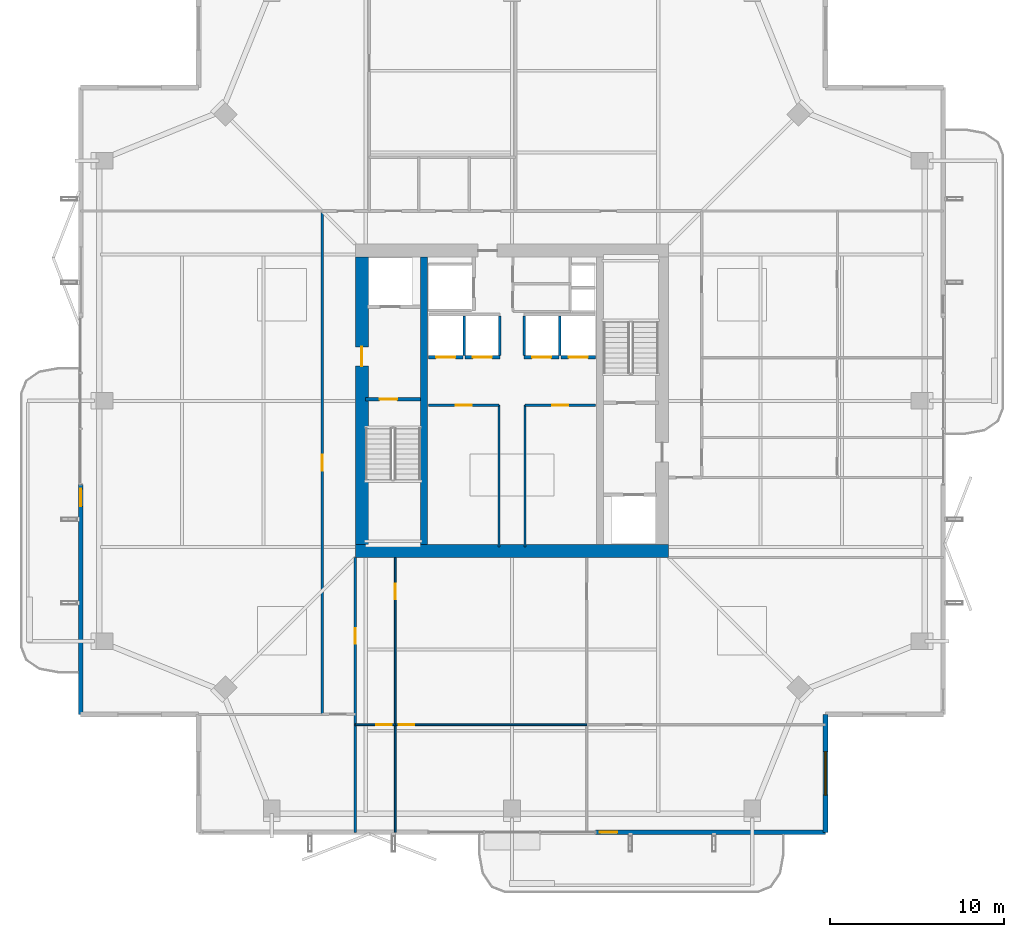
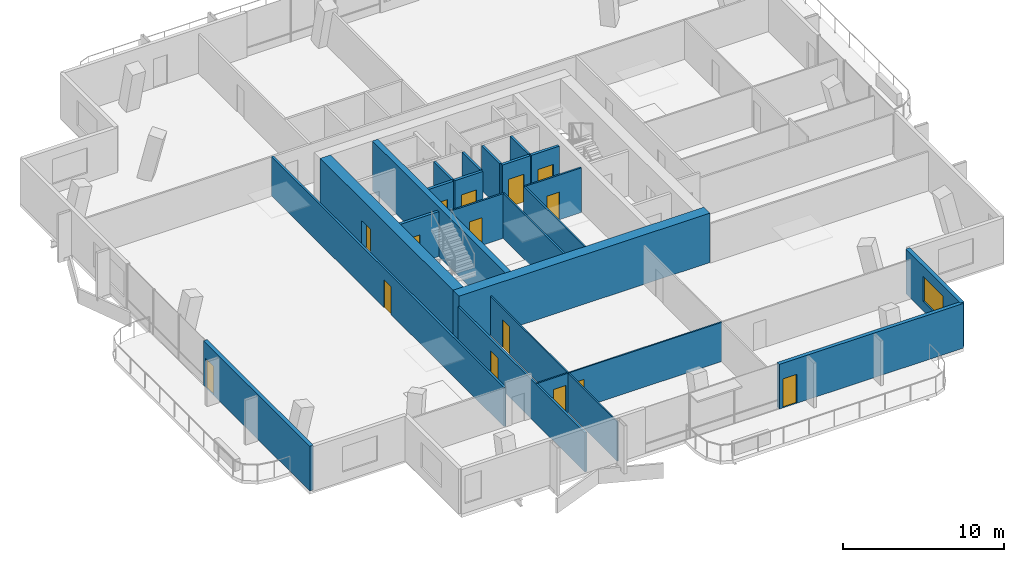
# One storey, part 18 of 25: 24 walls, 15 doors, 1 window, 16 openings.
"""IFC4 building model written with IfcOpenShell, lengths in metres."""

from ifc_helpers import new_model, si_unit, direction, frame, frame_2d, origin, place, context, subcontext, project, spatial, rectangle, extrude, material, layer, layer_set, type_object, element, fill, save


model = new_model("IFC4")

# Units and contexts
model_context = context("Model", 3, precision=1e-05, world=origin(), true_north=direction((0.0, 1.0)))
body_context = subcontext(model_context, "Body", "Model", "MODEL_VIEW")
ifc_project = project(units=[si_unit("LENGTHUNIT", "METRE"), si_unit("AREAUNIT", "SQUARE_METRE"), si_unit("VOLUMEUNIT", "CUBIC_METRE"), si_unit("PLANEANGLEUNIT", "RADIAN"), si_unit("MASSUNIT", "GRAM", prefix="KILO")], contexts=[model_context])

# Site, building, storey
site_placement = place(None, origin())
site = spatial("IfcSite", under=ifc_project, at=site_placement, CompositionType="ELEMENT")
building_placement = place(site_placement, origin())
building = spatial("IfcBuilding", under=site, at=building_placement, Name="Belovzor Exchange Tower", CompositionType="ELEMENT")
storey_placement = place(building_placement, frame((0.0, 0.0, 280.35009765625)))
storey = spatial("IfcBuildingStorey", under=building, at=storey_placement, Name="L70", CompositionType="ELEMENT", Elevation=280.35009765625)

# Wall, opening, door
ifc_material_1 = material(Name="Acoustic Laminated Glass and Aluminium", Category="aluminium")
ifc_layer_1 = layer(ifc_material_1, 0.10009765625)
ifc_layer_set_1 = layer_set([ifc_layer_1], Name="Acoustic Laminated Glass and Aluminium")
wall_type_1 = type_object("IfcWallType", Name="Demountable Executive Glass Partition 100", PredefinedType="MOVABLE", material=ifc_layer_set_1)
wall_1_placement = place(storey_placement, frame((19.800048828125, 10.200927734375, 0.0), z_axis=(0.0, 0.0, 1.0), x_axis=(1.0, 0.0, 0.0)))
wall_1 = element("IfcWall", 1, at=wall_1_placement, inside=storey, type_object=wall_type_1, Name="W-M100 Partition Wall W-L70-SHDIV-0", PredefinedType="MOVABLE", context=body_context, shape_type="SweptSolid", body=[
    extrude(rectangle(XDim=2.300048828125, YDim=0.10009765625, at=frame_2d((1.14990234375, 0.0))), origin(), (0.0, 0.0, 1.0), 2.974853515625),
])
opening_1_placement = place(wall_1_placement, frame((1.199951171875, 0.0, 0.0)))
opening_1 = element("IfcOpeningElement", 2, at=opening_1_placement, cuts=wall_1, Name="Opening D-INT-090", PredefinedType="OPENING", context=body_context, shape_type="SweptSolid", body=[
    extrude(rectangle(XDim=0.89990234375, YDim=2.10009765625, at=frame_2d((0.449951171875, 1.050048828125))), frame((0.0, 0.06005859375, 0.0), z_axis=(0.0, -1.0, 0.0), x_axis=(1.0, 0.0, 0.0)), (0.0, 0.0, 1.0), 0.1201171875),
])
ifc_material_2 = material(Name="Veneered Hardwood Acoustic Leaf", Category="wood")
door_type_1 = type_object("IfcDoorType", Name="Trading Suite Acoustic Single Door 900x2100", OperationType="NOTDEFINED", PredefinedType="DOOR", material=ifc_material_2)
door_1_placement = place(opening_1_placement, origin())
door_1 = element("IfcDoor", 3, at=door_1_placement, inside=storey, type_object=door_type_1, Name="D-INT-090 Trading Suite Acoustic Single Door 900x2100", OperationType="SINGLE_SWING_LEFT", OverallHeight=2.10009765625, OverallWidth=0.89990234375, PredefinedType="DOOR", context=body_context, shape_type="SweptSolid", body=[
    extrude(rectangle(XDim=0.89990234375, YDim=2.10009765625, at=frame_2d((0.449951171875, 1.050048828125))), frame((0.0, 0.02490234375, 0.0), z_axis=(0.0, -1.0, 0.0), x_axis=(1.0, 0.0, 0.0)), (0.0, 0.0, 1.0), 0.050048828125),
])
fill(opening_1, door_1)

wall_2_placement = place(storey_placement, frame((22.10009765625, 4.030029296875, 0.0), z_axis=(0.0, 0.0, 1.0), x_axis=(0.0, 1.0, 0.0)))
wall_2 = element("IfcWall", 4, at=wall_2_placement, inside=storey, type_object=wall_type_1, Name="W-M100 Partition Wall W-L70-SDIV-1", PredefinedType="MOVABLE", context=body_context, shape_type="SweptSolid", body=[
    extrude(rectangle(XDim=15.77001953125, YDim=0.10009765625, at=frame_2d((7.885009765625, 0.0))), origin(), (0.0, 0.0, 1.0), 2.974853515625),
])
opening_2_placement = place(wall_2_placement, frame((13.3701171875, 0.0, 0.0)))
opening_2 = element("IfcOpeningElement", 5, at=opening_2_placement, cuts=wall_2, Name="Opening D-INT-090", PredefinedType="OPENING", context=body_context, shape_type="SweptSolid", body=[
    extrude(rectangle(XDim=0.89990234375, YDim=2.10009765625, at=frame_2d((0.449951171875, 1.050048828125))), frame((0.0, 0.06005859375, 0.0), z_axis=(0.0, -1.0, 0.0), x_axis=(1.0, 0.0, 0.0)), (0.0, 0.0, 1.0), 0.1201171875),
])
door_2_placement = place(opening_2_placement, origin())
door_2 = element("IfcDoor", 6, at=door_2_placement, inside=storey, type_object=door_type_1, Name="D-INT-090 Trading Suite Acoustic Single Door 900x2100", OperationType="SINGLE_SWING_LEFT", OverallHeight=2.10009765625, OverallWidth=0.89990234375, PredefinedType="DOOR", context=body_context, shape_type="SweptSolid", body=[
    extrude(rectangle(XDim=0.89990234375, YDim=2.10009765625, at=frame_2d((0.449951171875, 1.050048828125))), frame((0.0, 0.02490234375, 0.0), z_axis=(0.0, -1.0, 0.0), x_axis=(1.0, 0.0, 0.0)), (0.0, 0.0, 1.0), 0.050048828125),
])
fill(opening_2, door_2)

wall_3_placement = place(storey_placement, frame((22.10009765625, 10.200927734375, 0.0), z_axis=(0.0, 0.0, 1.0), x_axis=(1.0, 0.0, 0.0)))
wall_3 = element("IfcWall", 7, at=wall_3_placement, inside=storey, type_object=wall_type_1, Name="W-M100 Partition Wall W-L70-SHDIV-1", PredefinedType="MOVABLE", context=body_context, shape_type="SweptSolid", body=[
    extrude(rectangle(XDim=10.991943359375, YDim=0.10009765625, at=frame_2d((5.49609375, 0.0))), origin(), (0.0, 0.0, 1.0), 2.974853515625),
])
opening_3_placement = place(wall_3_placement, frame((0.199951171875, 0.0, 0.0)))
opening_3 = element("IfcOpeningElement", 8, at=opening_3_placement, cuts=wall_3, Name="Opening D-INT-090", PredefinedType="OPENING", context=body_context, shape_type="SweptSolid", body=[
    extrude(rectangle(XDim=0.89990234375, YDim=2.10009765625, at=frame_2d((0.449951171875, 1.050048828125))), frame((0.0, 0.06005859375, 0.0), z_axis=(0.0, -1.0, 0.0), x_axis=(1.0, 0.0, 0.0)), (0.0, 0.0, 1.0), 0.1201171875),
])
door_3_placement = place(opening_3_placement, origin())
door_3 = element("IfcDoor", 9, at=door_3_placement, inside=storey, type_object=door_type_1, Name="D-INT-090 Trading Suite Acoustic Single Door 900x2100", OperationType="SINGLE_SWING_LEFT", OverallHeight=2.10009765625, OverallWidth=0.89990234375, PredefinedType="DOOR", context=body_context, shape_type="SweptSolid", body=[
    extrude(rectangle(XDim=0.89990234375, YDim=2.10009765625, at=frame_2d((0.449951171875, 1.050048828125))), frame((0.0, 0.02490234375, 0.0), z_axis=(0.0, -1.0, 0.0), x_axis=(1.0, 0.0, 0.0)), (0.0, 0.0, 1.0), 0.050048828125),
])
fill(opening_3, door_3)

ifc_material_3 = material(Name="Fire-Rated Plasterboard on Galvanised Studs", Category="gypsum")
ifc_layer_2 = layer(ifc_material_3, 0.1201171875)
ifc_layer_set_2 = layer_set([ifc_layer_2], Name="Fire-Rated Plasterboard on Galvanised Studs")
wall_type_2 = type_object("IfcWallType", Name="Fire-Rated Double-Stud Partition Wall 120", PredefinedType="PARTITIONING", material=ifc_layer_set_2)
wall_4_placement = place(storey_placement, frame((24.0, 28.550048828125, 0.0), z_axis=(0.0, 0.0, 1.0), x_axis=(1.0, 0.0, 0.0)))
wall_4 = element("IfcWall", 10, at=wall_4_placement, inside=storey, type_object=wall_type_2, Name="W-P120F Partition Wall W-CRWB-L70-N", PredefinedType="PARTITIONING", context=body_context, shape_type="SweptSolid", body=[
    extrude(rectangle(XDim=4.050048828125, YDim=0.1201171875, at=frame_2d((2.02490234375, 0.0))), origin(), (0.0, 0.0, 1.0), 3.389892578125),
])
opening_4_placement = place(wall_4_placement, frame((1.574951171875, 0.0, 0.0)))
opening_4 = element("IfcOpeningElement", 11, at=opening_4_placement, cuts=wall_4, Name="Opening D-FD60-090", PredefinedType="OPENING", context=body_context, shape_type="SweptSolid", body=[
    extrude(rectangle(XDim=0.89990234375, YDim=2.10009765625, at=frame_2d((0.449951171875, 1.050048828125))), frame((0.0, 0.070068359375, 0.0), z_axis=(0.0, -1.0, 0.0), x_axis=(1.0, 0.0, 0.0)), (0.0, 0.0, 1.0), 0.14013671875),
])
ifc_material_4 = material(Name="Acoustic Timber Fire Leaf", Category="wood")
door_type_2 = type_object("IfcDoorType", Name="Core Service & Restroom Fire Door 900x2100", OperationType="NOTDEFINED", PredefinedType="DOOR", material=ifc_material_4)
door_4_placement = place(opening_4_placement, origin())
door_4 = element("IfcDoor", 12, at=door_4_placement, inside=storey, type_object=door_type_2, Name="D-FD60-090 Core Service & Restroom Fire Door 900x2100", OperationType="SINGLE_SWING_LEFT", OverallHeight=2.10009765625, OverallWidth=0.89990234375, PredefinedType="DOOR", context=body_context, shape_type="SweptSolid", body=[
    extrude(rectangle(XDim=0.89990234375, YDim=2.10009765625, at=frame_2d((0.449951171875, 1.050048828125))), frame((0.0, 0.02490234375, 0.0), z_axis=(0.0, -1.0, 0.0), x_axis=(1.0, 0.0, 0.0)), (0.0, 0.0, 1.0), 0.050048828125),
])
fill(opening_4, door_4)

# Wall
wall_5_placement = place(storey_placement, frame((28.050048828125, 20.39990234375, 0.0), z_axis=(0.0, 0.0, 1.0), x_axis=(0.0, 1.0, 0.0)))
element("IfcWall", 13, at=wall_5_placement, inside=storey, type_object=wall_type_2, Name="W-P120F Partition Wall W-CRWB-L70-E", PredefinedType="PARTITIONING", context=body_context, shape_type="SweptSolid", body=[
    extrude(rectangle(XDim=8.150146484375, YDim=0.1201171875, at=frame_2d((4.0751953125, 0.0))), origin(), (0.0, 0.0, 1.0), 3.389892578125),
])

# Wall, opening, door
wall_6_placement = place(storey_placement, frame((29.550048828125, 28.550048828125, 0.0), z_axis=(0.0, 0.0, 1.0), x_axis=(1.0, 0.0, 0.0)))
wall_6 = element("IfcWall", 14, at=wall_6_placement, inside=storey, type_object=wall_type_2, Name="W-P120F Partition Wall W-CREB-L70-N", PredefinedType="PARTITIONING", context=body_context, shape_type="SweptSolid", body=[
    extrude(rectangle(XDim=4.050048828125, YDim=0.1201171875, at=frame_2d((2.02490234375, 0.0))), origin(), (0.0, 0.0, 1.0), 3.389892578125),
])
opening_5_placement = place(wall_6_placement, frame((1.574951171875, 0.0, 0.0)))
opening_5 = element("IfcOpeningElement", 15, at=opening_5_placement, cuts=wall_6, Name="Opening D-FD60-090", PredefinedType="OPENING", context=body_context, shape_type="SweptSolid", body=[
    extrude(rectangle(XDim=0.89990234375, YDim=2.10009765625, at=frame_2d((0.449951171875, 1.050048828125))), frame((0.0, 0.070068359375, 0.0), z_axis=(0.0, -1.0, 0.0), x_axis=(1.0, 0.0, 0.0)), (0.0, 0.0, 1.0), 0.14013671875),
])
door_5_placement = place(opening_5_placement, origin())
door_5 = element("IfcDoor", 16, at=door_5_placement, inside=storey, type_object=door_type_2, Name="D-FD60-090 Core Service & Restroom Fire Door 900x2100", OperationType="SINGLE_SWING_RIGHT", OverallHeight=2.10009765625, OverallWidth=0.89990234375, PredefinedType="DOOR", context=body_context, shape_type="SweptSolid", body=[
    extrude(rectangle(XDim=0.89990234375, YDim=2.10009765625, at=frame_2d((0.449951171875, 1.050048828125))), frame((0.0, 0.02490234375, 0.0), z_axis=(0.0, -1.0, 0.0), x_axis=(1.0, 0.0, 0.0)), (0.0, 0.0, 1.0), 0.050048828125),
])
fill(opening_5, door_5)

# Wall
wall_7_placement = place(storey_placement, frame((29.550048828125, 20.39990234375, 0.0), z_axis=(0.0, 0.0, 1.0), x_axis=(0.0, 1.0, 0.0)))
element("IfcWall", 17, at=wall_7_placement, inside=storey, type_object=wall_type_2, Name="W-P120F Partition Wall W-CREB-L70-W", PredefinedType="PARTITIONING", context=body_context, shape_type="SweptSolid", body=[
    extrude(rectangle(XDim=8.150146484375, YDim=0.1201171875, at=frame_2d((4.0751953125, 0.0))), origin(), (0.0, 0.0, 1.0), 3.389892578125),
])

# Wall, opening, door
ifc_material_5 = material(Name="Fire-Rated Gypsum Block and Mineral Wool", Category="gypsum")
ifc_layer_3 = layer(ifc_material_5, 0.14990234375)
ifc_layer_set_3 = layer_set([ifc_layer_3], Name="Fire-Rated Gypsum Block and Mineral Wool")
wall_type_3 = type_object("IfcWallType", Name="Fire-Rated Gypsum Block Corridor Wall 150", PredefinedType="PARTITIONING", material=ifc_layer_set_3)
wall_8_placement = place(storey_placement, frame((19.800048828125, 4.030029296875, 0.0), z_axis=(0.0, 0.0, 1.0), x_axis=(0.0, 1.0, 0.0)))
wall_8 = element("IfcWall", 18, at=wall_8_placement, inside=storey, type_object=wall_type_3, Name="W-P150 Partition Wall W-L70-CW-E", PredefinedType="PARTITIONING", context=body_context, shape_type="SweptSolid", body=[
    extrude(rectangle(XDim=15.77001953125, YDim=0.14990234375, at=frame_2d((7.885009765625, 0.0))), origin(), (0.0, 0.0, 1.0), 2.974853515625),
])
opening_6_placement = place(wall_8_placement, frame((10.820068359375, 0.0, 0.0)))
opening_6 = element("IfcOpeningElement", 19, at=opening_6_placement, cuts=wall_8, Name="Opening D-FD60-090", PredefinedType="OPENING", context=body_context, shape_type="SweptSolid", body=[
    extrude(rectangle(XDim=0.89990234375, YDim=2.10009765625, at=frame_2d((0.449951171875, 1.050048828125))), frame((0.0, 0.0849609375, 0.0), z_axis=(0.0, -1.0, 0.0), x_axis=(1.0, 0.0, 0.0)), (0.0, 0.0, 1.0), 0.169921875),
])
door_6_placement = place(opening_6_placement, origin())
door_6 = element("IfcDoor", 20, at=door_6_placement, inside=storey, type_object=door_type_2, Name="D-FD60-090 Core Service & Restroom Fire Door 900x2100", OperationType="SINGLE_SWING_RIGHT", OverallHeight=2.10009765625, OverallWidth=0.89990234375, PredefinedType="DOOR", context=body_context, shape_type="SweptSolid", body=[
    extrude(rectangle(XDim=0.89990234375, YDim=2.10009765625, at=frame_2d((0.449951171875, 1.050048828125))), frame((0.0, 0.02490234375, 0.0), z_axis=(0.0, -1.0, 0.0), x_axis=(1.0, 0.0, 0.0)), (0.0, 0.0, 1.0), 0.050048828125),
])
fill(opening_6, door_6)

wall_9_placement = place(storey_placement, frame((17.89990234375, 10.800048828125, 0.0), z_axis=(0.0, 0.0, 1.0), x_axis=(0.0, 1.0, 0.0)))
wall_9 = element("IfcWall", 21, at=wall_9_placement, inside=storey, type_object=wall_type_3, Name="W-P150 Partition Wall W-L70-CW", PredefinedType="PARTITIONING", context=body_context, shape_type="SweptSolid", body=[
    extrude(rectangle(XDim=28.89990234375, YDim=0.14990234375, at=frame_2d((14.449951171875, 0.0))), origin(), (0.0, 0.0, 1.0), 2.974853515625),
])
opening_7_placement = place(wall_9_placement, frame((14.0, 0.0, 0.0)))
opening_7 = element("IfcOpeningElement", 22, at=opening_7_placement, cuts=wall_9, Name="Opening D-INT-090", PredefinedType="OPENING", context=body_context, shape_type="SweptSolid", body=[
    extrude(rectangle(XDim=0.89990234375, YDim=2.10009765625, at=frame_2d((0.449951171875, 1.050048828125))), frame((0.0, 0.0849609375, 0.0), z_axis=(0.0, -1.0, 0.0), x_axis=(1.0, 0.0, 0.0)), (0.0, 0.0, 1.0), 0.169921875),
])
door_7_placement = place(opening_7_placement, origin())
door_7 = element("IfcDoor", 23, at=door_7_placement, inside=storey, type_object=door_type_1, Name="D-INT-090 Trading Suite Acoustic Single Door 900x2100", OperationType="SINGLE_SWING_LEFT", OverallHeight=2.10009765625, OverallWidth=0.89990234375, PredefinedType="DOOR", context=body_context, shape_type="SweptSolid", body=[
    extrude(rectangle(XDim=0.89990234375, YDim=2.10009765625, at=frame_2d((0.449951171875, 1.050048828125))), frame((0.0, 0.02490234375, 0.0), z_axis=(0.0, -1.0, 0.0), x_axis=(1.0, 0.0, 0.0)), (0.0, 0.0, 1.0), 0.050048828125),
])
fill(opening_7, door_7)

# Wall, opening, window
ifc_material_6 = material(Name="Precast concrete C40/50", Category="concrete")
ifc_layer_4 = layer(ifc_material_6, 0.280029296875)
ifc_layer_set_4 = layer_set([ifc_layer_4], Name="Precast concrete C40/50")
wall_type_4 = type_object("IfcWallType", Name="Precast Concrete Notched Corner Frame Wall 280", PredefinedType="SOLIDWALL", material=ifc_layer_set_4)
wall_10_placement = place(storey_placement, frame((46.800048828125, 10.800048828125, 0.0), z_axis=(0.0, 0.0, 1.0), x_axis=(0.0, -1.0, 0.0)))
wall_10 = element("IfcWall", 24, at=wall_10_placement, inside=storey, type_object=wall_type_4, Name="W-CRN280 Precast Concrete Notched Corner Frame Wall 280 L70", PredefinedType="SOLIDWALL", context=body_context, shape_type="SweptSolid", body=[
    extrude(rectangle(XDim=6.77001953125, YDim=0.280029296875, at=frame_2d((3.385009765625, 0.0))), origin(), (0.0, 0.0, 1.0), 3.389892578125),
])
opening_8_placement = place(wall_10_placement, frame((2.135009765625, 0.0, 0.719970703125)))
opening_8 = element("IfcOpeningElement", 25, at=opening_8_placement, cuts=wall_10, Name="Opening WN-CRN250", PredefinedType="OPENING", context=body_context, shape_type="SweptSolid", body=[
    extrude(rectangle(XDim=2.5, YDim=1.89990234375, at=frame_2d((1.25, 0.949951171875))), frame((0.0, 0.14990234375, 0.0), z_axis=(0.0, -1.0, 0.0), x_axis=(1.0, 0.0, 0.0)), (0.0, 0.0, 1.0), 0.300048828125),
])
ifc_material_7 = material(Name="Thermally Broken Aluminium and Triple Glazing", Category="aluminium")
window_type = type_object("IfcWindowType", Name="Streamline Moderne Corner Wrap Ribbon Window 2500x1900", PartitioningType="SINGLE_PANEL", PredefinedType="WINDOW", material=ifc_material_7)
window_placement = place(opening_8_placement, origin())
window = element("IfcWindow", 26, at=window_placement, inside=storey, type_object=window_type, Name="WN-CRN250 Streamline Moderne Corner Wrap Ribbon Window 2500x1900", OverallHeight=1.89990234375, OverallWidth=2.5, PartitioningType="SINGLE_PANEL", PredefinedType="WINDOW", context=body_context, shape_type="SweptSolid", body=[
    extrude(rectangle(XDim=2.5, YDim=1.89990234375, at=frame_2d((1.25, 0.949951171875))), frame((0.0, 0.030029296875, 0.0), z_axis=(0.0, -1.0, 0.0), x_axis=(1.0, 0.0, 0.0)), (0.0, 0.0, 1.0), 0.06005859375),
])
fill(opening_8, window)

# Wall, opening, door
ifc_material_8 = material(Name="Precast concrete C40/50", Category="concrete")
ifc_layer_5 = layer(ifc_material_8, 0.260009765625)
ifc_layer_set_5 = layer_set([ifc_layer_5], Name="Precast concrete C40/50")
wall_type_5 = type_object("IfcWallType", Name="Precast Concrete Perimeter Loggia Frame Wall 260", PredefinedType="SOLIDWALL", material=ifc_layer_set_5)
wall_11_placement = place(storey_placement, frame((46.800048828125, 4.030029296875, 0.0), z_axis=(0.0, 0.0, 1.0), x_axis=(-1.0, 0.0, 0.0)))
wall_11 = element("IfcWall", 27, at=wall_11_placement, inside=storey, type_object=wall_type_5, Name="W-EXT260 Precast Concrete Perimeter Loggia Frame Wall 260 L70", PredefinedType="SOLIDWALL", context=body_context, shape_type="SweptSolid", body=[
    extrude(rectangle(XDim=13.199951171875, YDim=0.260009765625, at=frame_2d((6.60009765625, 0.0))), origin(), (0.0, 0.0, 1.0), 3.389892578125),
])
opening_9_placement = place(wall_11_placement, frame((11.949951171875, 0.0, 0.0)))
opening_9 = element("IfcOpeningElement", 28, at=opening_9_placement, cuts=wall_11, Name="Opening D-BAL100", PredefinedType="OPENING", context=body_context, shape_type="SweptSolid", body=[
    extrude(rectangle(XDim=1.0, YDim=2.199951171875, at=frame_2d((0.5, 1.10009765625))), frame((0.0, 0.139892578125, 0.0), z_axis=(0.0, -1.0, 0.0), x_axis=(1.0, 0.0, 0.0)), (0.0, 0.0, 1.0), 0.280029296875),
])
ifc_material_9 = material(Name="Thermally Broken Anodised Aluminium and Laminated Glass", Category="aluminium")
door_type_3 = type_object("IfcDoorType", Name="Planted Loggia Terrace Glazed Door 1000x2200", OperationType="SINGLE_SWING_LEFT", PredefinedType="DOOR", material=ifc_material_9)
door_8_placement = place(opening_9_placement, origin())
door_8 = element("IfcDoor", 29, at=door_8_placement, inside=storey, type_object=door_type_3, Name="D-BAL100 Balcony Terrace Door L70 S", OperationType="SINGLE_SWING_LEFT", OverallHeight=2.199951171875, OverallWidth=1.0, PredefinedType="DOOR", context=body_context, shape_type="SweptSolid", body=[
    extrude(rectangle(XDim=1.0, YDim=2.199951171875, at=frame_2d((0.5, 1.10009765625))), frame((0.0, 0.02490234375, 0.0), z_axis=(0.0, -1.0, 0.0), x_axis=(1.0, 0.0, 0.0)), (0.0, 0.0, 1.0), 0.050048828125),
])
fill(opening_9, door_8)

wall_12_placement = place(storey_placement, frame((4.030029296875, 10.800048828125, 0.0), z_axis=(0.0, 0.0, 1.0), x_axis=(0.0, 1.0, 0.0)))
wall_12 = element("IfcWall", 30, at=wall_12_placement, inside=storey, type_object=wall_type_5, Name="W-EXT260 Precast Concrete Perimeter Loggia Frame Wall 260 L70", PredefinedType="SOLIDWALL", context=body_context, shape_type="SweptSolid", body=[
    extrude(rectangle(XDim=13.199951171875, YDim=0.260009765625, at=frame_2d((6.60009765625, 0.0))), origin(), (0.0, 0.0, 1.0), 3.389892578125),
])
opening_10_placement = place(wall_12_placement, frame((11.949951171875, 0.0, 0.0)))
opening_10 = element("IfcOpeningElement", 31, at=opening_10_placement, cuts=wall_12, Name="Opening D-BAL100", PredefinedType="OPENING", context=body_context, shape_type="SweptSolid", body=[
    extrude(rectangle(XDim=1.0, YDim=2.199951171875, at=frame_2d((0.5, 1.10009765625))), frame((0.0, 0.139892578125, 0.0), z_axis=(0.0, -1.0, 0.0), x_axis=(1.0, 0.0, 0.0)), (0.0, 0.0, 1.0), 0.280029296875),
])
door_9_placement = place(opening_10_placement, origin())
door_9 = element("IfcDoor", 32, at=door_9_placement, inside=storey, type_object=door_type_3, Name="D-BAL100 Balcony Terrace Door L70 W", OperationType="SINGLE_SWING_RIGHT", OverallHeight=2.199951171875, OverallWidth=1.0, PredefinedType="DOOR", context=body_context, shape_type="SweptSolid", body=[
    extrude(rectangle(XDim=1.0, YDim=2.199951171875, at=frame_2d((0.5, 1.10009765625))), frame((0.0, 0.02490234375, 0.0), z_axis=(0.0, -1.0, 0.0), x_axis=(1.0, 0.0, 0.0)), (0.0, 0.0, 1.0), 0.050048828125),
])
fill(opening_10, door_9)

# Walls
ifc_material_10 = material(Name="Concrete C50/60", Category="concrete")
ifc_layer_6 = layer(ifc_material_10, 0.39990234375)
ifc_layer_set_6 = layer_set([ifc_layer_6], Name="Concrete C50/60")
wall_type_6 = type_object("IfcWallType", Name="Reinforced Concrete Core Internal Web Wall 400", PredefinedType="SHEAR", material=ifc_layer_set_6)
wall_13_placement = place(storey_placement, frame((23.75, 20.550048828125, 0.0), z_axis=(0.0, 0.0, 1.0), x_axis=(0.0, 1.0, 0.0)))
element("IfcWall", 33, at=wall_13_placement, inside=storey, type_object=wall_type_6, Name="CW-W040 Core Internal Web Wall L70 WL", PredefinedType="SHEAR", context=body_context, shape_type="SweptSolid", body=[
    extrude(rectangle(XDim=16.5, YDim=0.39990234375, at=frame_2d((8.25, 0.0))), origin(), (0.0, 0.0, 1.0), 3.75),
])
ifc_material_11 = material(Name="Concrete C50/60", Category="concrete")
ifc_layer_7 = layer(ifc_material_11, 0.14990234375)
ifc_layer_set_7 = layer_set([ifc_layer_7], Name="Concrete C50/60")
wall_type_7 = type_object("IfcWallType", Name="Reinforced Concrete Core Riser Shear Wall 150", PredefinedType="SHEAR", material=ifc_layer_set_7)
for number, where, z_axis, x_axis, name in (
    (34, (26.050048828125, 31.419921875, 0.0), (0.0, 0.0, 1.0), (0.0, 1.0, 0.0), "W-C150S Core Shaft Wall W-SHD-L70-PLH-1"),
    (35, (28.10009765625, 31.419921875, 0.0), (0.0, 0.0, 1.0), (0.0, 1.0, 0.0), "W-C150S Core Shaft Wall W-SHD-L70-PLH-2"),
    (36, (29.5, 31.419921875, 0.0), (0.0, 0.0, 1.0), (0.0, 1.0, 0.0), "W-C150S Core Shaft Wall W-SHD-L70-PLH-3"),
    (37, (31.550048828125, 31.419921875, 0.0), (0.0, 0.0, 1.0), (0.0, 1.0, 0.0), "W-C150S Core Shaft Wall W-SHD-L70-PLH-4"),
):
    element("IfcWall", number, at=place(storey_placement, frame(where, z_axis=z_axis, x_axis=x_axis)), inside=storey, type_object=wall_type_7, Name=name, PredefinedType="SHEAR", context=body_context, shape_type="SweptSolid", body=[
        extrude(rectangle(XDim=2.239990234375, YDim=0.14990234375, at=frame_2d((1.1201171875, 0.0))), origin(), (0.0, 0.0, 1.0), 3.389892578125),
    ])

# Wall, opening, door
ifc_material_12 = material(Name="Concrete C50/60", Category="concrete")
ifc_layer_8 = layer(ifc_material_12, 0.199951171875)
ifc_layer_set_8 = layer_set([ifc_layer_8], Name="Concrete C50/60")
wall_type_8 = type_object("IfcWallType", Name="Reinforced Concrete Core Shaft Shear Wall 200", PredefinedType="SHEAR", material=ifc_layer_set_8)
wall_14_placement = place(storey_placement, frame((20.39990234375, 28.89990234375, 0.0), z_axis=(0.0, 0.0, 1.0), x_axis=(1.0, 0.0, 0.0)))
wall_14 = element("IfcWall", 38, at=wall_14_placement, inside=storey, type_object=wall_type_8, Name="W-C200S Core Shaft Wall W-CORE-L70-FFLW1", PredefinedType="SHEAR", context=body_context, shape_type="SweptSolid", body=[
    extrude(rectangle(XDim=3.150146484375, YDim=0.199951171875, at=frame_2d((1.5751953125, 0.0))), origin(), (0.0, 0.0, 1.0), 3.389892578125),
])
opening_11_placement = place(wall_14_placement, frame((0.800048828125, 0.0, 0.0)))
opening_11 = element("IfcOpeningElement", 39, at=opening_11_placement, cuts=wall_14, Name="Opening D-FD90-100", PredefinedType="OPENING", context=body_context, shape_type="SweptSolid", body=[
    extrude(rectangle(XDim=1.0, YDim=2.10009765625, at=frame_2d((0.5, 1.050048828125))), frame((0.0, 0.10986328125, 0.0), z_axis=(0.0, -1.0, 0.0), x_axis=(1.0, 0.0, 0.0)), (0.0, 0.0, 1.0), 0.219970703125),
])
ifc_material_13 = material(Name="Fire-Rated Galvanised Steel Leaf", Category="steel")
door_type_4 = type_object("IfcDoorType", Name="Protected Stairwell Single Fire Door 1000x2100", OperationType="NOTDEFINED", PredefinedType="DOOR", material=ifc_material_13)
door_10_placement = place(opening_11_placement, origin())
door_10 = element("IfcDoor", 40, at=door_10_placement, inside=storey, type_object=door_type_4, Name="D-FD90-100 Protected Stairwell Single Fire Door 1000x2100", OperationType="SINGLE_SWING_RIGHT", OverallHeight=2.10009765625, OverallWidth=1.0, PredefinedType="DOOR", context=body_context, shape_type="SweptSolid", body=[
    extrude(rectangle(XDim=1.0, YDim=2.10009765625, at=frame_2d((0.5, 1.050048828125))), frame((0.0, 0.02490234375, 0.0), z_axis=(0.0, -1.0, 0.0), x_axis=(1.0, 0.0, 0.0)), (0.0, 0.0, 1.0), 0.050048828125),
])
fill(opening_11, door_10)

wall_15_placement = place(storey_placement, frame((24.0, 31.300048828125, 0.0), z_axis=(0.0, 0.0, 1.0), x_axis=(1.0, 0.0, 0.0)))
wall_15 = element("IfcWall", 41, at=wall_15_placement, inside=storey, type_object=wall_type_8, Name="W-C200S Core Shaft Wall W-SH-L70-PL-H1", PredefinedType="SHEAR", context=body_context, shape_type="SweptSolid", body=[
    extrude(rectangle(XDim=2.0, YDim=0.199951171875, at=frame_2d((1.0, 0.0))), origin(), (0.0, 0.0, 1.0), 3.389892578125),
])
opening_12_placement = place(wall_15_placement, frame((0.449951171875, 0.0, 0.0)))
opening_12 = element("IfcOpeningElement", 42, at=opening_12_placement, cuts=wall_15, Name="Opening LD-110", PredefinedType="OPENING", context=body_context, shape_type="SweptSolid", body=[
    extrude(rectangle(XDim=1.10009765625, YDim=2.14990234375, at=frame_2d((0.550048828125, 1.074951171875))), frame((0.0, 0.10986328125, 0.0), z_axis=(0.0, -1.0, 0.0), x_axis=(1.0, 0.0, 0.0)), (0.0, 0.0, 1.0), 0.219970703125),
])
ifc_material_14 = material(Name="Stainless Steel Grade 304", Category="steel")
door_type_5 = type_object("IfcDoorType", Name="Automated Stainless Steel Lift Landing Door 1100x2150", OperationType="SLIDING_TO_RIGHT", PredefinedType="DOOR", material=ifc_material_14)
door_11_placement = place(opening_12_placement, origin())
door_11 = element("IfcDoor", 43, at=door_11_placement, inside=storey, type_object=door_type_5, Name="LD-110 Automated Stainless Steel Lift Landing Door 1100x2150", OperationType="SLIDING_TO_RIGHT", OverallHeight=2.14990234375, OverallWidth=1.10009765625, PredefinedType="DOOR", context=body_context, shape_type="SweptSolid", body=[
    extrude(rectangle(XDim=1.10009765625, YDim=2.14990234375, at=frame_2d((0.550048828125, 1.074951171875))), frame((0.0, 0.02490234375, 0.0), z_axis=(0.0, -1.0, 0.0), x_axis=(1.0, 0.0, 0.0)), (0.0, 0.0, 1.0), 0.050048828125),
])
fill(opening_12, door_11)

wall_16_placement = place(storey_placement, frame((26.10009765625, 31.300048828125, 0.0), z_axis=(0.0, 0.0, 1.0), x_axis=(1.0, 0.0, 0.0)))
wall_16 = element("IfcWall", 44, at=wall_16_placement, inside=storey, type_object=wall_type_8, Name="W-C200S Core Shaft Wall W-SH-L70-PL-H2", PredefinedType="SHEAR", context=body_context, shape_type="SweptSolid", body=[
    extrude(rectangle(XDim=2.0, YDim=0.199951171875, at=frame_2d((1.0, 0.0))), origin(), (0.0, 0.0, 1.0), 3.389892578125),
])
opening_13_placement = place(wall_16_placement, frame((0.449951171875, 0.0, 0.0)))
opening_13 = element("IfcOpeningElement", 45, at=opening_13_placement, cuts=wall_16, Name="Opening LD-110", PredefinedType="OPENING", context=body_context, shape_type="SweptSolid", body=[
    extrude(rectangle(XDim=1.10009765625, YDim=2.14990234375, at=frame_2d((0.550048828125, 1.074951171875))), frame((0.0, 0.10986328125, 0.0), z_axis=(0.0, -1.0, 0.0), x_axis=(1.0, 0.0, 0.0)), (0.0, 0.0, 1.0), 0.219970703125),
])
door_12_placement = place(opening_13_placement, origin())
door_12 = element("IfcDoor", 46, at=door_12_placement, inside=storey, type_object=door_type_5, Name="LD-110 Automated Stainless Steel Lift Landing Door 1100x2150", OperationType="SLIDING_TO_RIGHT", OverallHeight=2.14990234375, OverallWidth=1.10009765625, PredefinedType="DOOR", context=body_context, shape_type="SweptSolid", body=[
    extrude(rectangle(XDim=1.10009765625, YDim=2.14990234375, at=frame_2d((0.550048828125, 1.074951171875))), frame((0.0, 0.02490234375, 0.0), z_axis=(0.0, -1.0, 0.0), x_axis=(1.0, 0.0, 0.0)), (0.0, 0.0, 1.0), 0.050048828125),
])
fill(opening_13, door_12)

wall_17_placement = place(storey_placement, frame((29.5, 31.300048828125, 0.0), z_axis=(0.0, 0.0, 1.0), x_axis=(1.0, 0.0, 0.0)))
wall_17 = element("IfcWall", 47, at=wall_17_placement, inside=storey, type_object=wall_type_8, Name="W-C200S Core Shaft Wall W-SH-L70-PL-H3", PredefinedType="SHEAR", context=body_context, shape_type="SweptSolid", body=[
    extrude(rectangle(XDim=2.0, YDim=0.199951171875, at=frame_2d((1.0, 0.0))), origin(), (0.0, 0.0, 1.0), 3.389892578125),
])
opening_14_placement = place(wall_17_placement, frame((0.449951171875, 0.0, 0.0)))
opening_14 = element("IfcOpeningElement", 48, at=opening_14_placement, cuts=wall_17, Name="Opening LD-110", PredefinedType="OPENING", context=body_context, shape_type="SweptSolid", body=[
    extrude(rectangle(XDim=1.10009765625, YDim=2.14990234375, at=frame_2d((0.550048828125, 1.074951171875))), frame((0.0, 0.10986328125, 0.0), z_axis=(0.0, -1.0, 0.0), x_axis=(1.0, 0.0, 0.0)), (0.0, 0.0, 1.0), 0.219970703125),
])
door_13_placement = place(opening_14_placement, origin())
door_13 = element("IfcDoor", 49, at=door_13_placement, inside=storey, type_object=door_type_5, Name="LD-110 Automated Stainless Steel Lift Landing Door 1100x2150", OperationType="SLIDING_TO_RIGHT", OverallHeight=2.14990234375, OverallWidth=1.10009765625, PredefinedType="DOOR", context=body_context, shape_type="SweptSolid", body=[
    extrude(rectangle(XDim=1.10009765625, YDim=2.14990234375, at=frame_2d((0.550048828125, 1.074951171875))), frame((0.0, 0.02490234375, 0.0), z_axis=(0.0, -1.0, 0.0), x_axis=(1.0, 0.0, 0.0)), (0.0, 0.0, 1.0), 0.050048828125),
])
fill(opening_14, door_13)

wall_18_placement = place(storey_placement, frame((31.60009765625, 31.300048828125, 0.0), z_axis=(0.0, 0.0, 1.0), x_axis=(1.0, 0.0, 0.0)))
wall_18 = element("IfcWall", 50, at=wall_18_placement, inside=storey, type_object=wall_type_8, Name="W-C200S Core Shaft Wall W-SH-L70-PL-H4", PredefinedType="SHEAR", context=body_context, shape_type="SweptSolid", body=[
    extrude(rectangle(XDim=2.0, YDim=0.199951171875, at=frame_2d((1.0, 0.0))), origin(), (0.0, 0.0, 1.0), 3.389892578125),
])
opening_15_placement = place(wall_18_placement, frame((0.449951171875, 0.0, 0.0)))
opening_15 = element("IfcOpeningElement", 51, at=opening_15_placement, cuts=wall_18, Name="Opening LD-110", PredefinedType="OPENING", context=body_context, shape_type="SweptSolid", body=[
    extrude(rectangle(XDim=1.10009765625, YDim=2.14990234375, at=frame_2d((0.550048828125, 1.074951171875))), frame((0.0, 0.10986328125, 0.0), z_axis=(0.0, -1.0, 0.0), x_axis=(1.0, 0.0, 0.0)), (0.0, 0.0, 1.0), 0.219970703125),
])
door_14_placement = place(opening_15_placement, origin())
door_14 = element("IfcDoor", 52, at=door_14_placement, inside=storey, type_object=door_type_5, Name="LD-110 Automated Stainless Steel Lift Landing Door 1100x2150", OperationType="SLIDING_TO_RIGHT", OverallHeight=2.14990234375, OverallWidth=1.10009765625, PredefinedType="DOOR", context=body_context, shape_type="SweptSolid", body=[
    extrude(rectangle(XDim=1.10009765625, YDim=2.14990234375, at=frame_2d((0.550048828125, 1.074951171875))), frame((0.0, 0.02490234375, 0.0), z_axis=(0.0, -1.0, 0.0), x_axis=(1.0, 0.0, 0.0)), (0.0, 0.0, 1.0), 0.050048828125),
])
fill(opening_15, door_14)

# Wall
ifc_material_15 = material(Name="Concrete C50/60", Category="concrete")
ifc_layer_9 = layer(ifc_material_15, 0.75)
ifc_layer_set_9 = layer_set([ifc_layer_9], Name="Concrete C50/60")
wall_type_9 = type_object("IfcWallType", Name="Reinforced Concrete Core Shear Wall 750", PredefinedType="SHEAR", material=ifc_layer_set_9)
wall_19_placement = place(storey_placement, frame((19.800048828125, 20.175048828125, 0.0), z_axis=(0.0, 0.0, 1.0), x_axis=(1.0, 0.0, 0.0)))
element("IfcWall", 53, at=wall_19_placement, inside=storey, type_object=wall_type_9, Name="CW-S075 Core Shear Wall L70 S", PredefinedType="SHEAR", context=body_context, shape_type="SweptSolid", body=[
    extrude(rectangle(XDim=18.0, YDim=0.75, at=frame_2d((9.0, 0.0))), origin(), (0.0, 0.0, 1.0), 3.75),
])

# Wall, opening, door
wall_20_placement = place(storey_placement, frame((20.175048828125, 20.550048828125, 0.0), z_axis=(0.0, 0.0, 1.0), x_axis=(0.0, 1.0, 0.0)))
wall_20 = element("IfcWall", 54, at=wall_20_placement, inside=storey, type_object=wall_type_9, Name="CW-S075 Core Shear Wall L70 W", PredefinedType="SHEAR", context=body_context, shape_type="SweptSolid", body=[
    extrude(rectangle(XDim=16.5, YDim=0.75, at=frame_2d((8.25, 0.0))), origin(), (0.0, 0.0, 1.0), 3.75),
])
opening_16_placement = place(wall_20_placement, frame((10.25, 0.0, 0.0)))
opening_16 = element("IfcOpeningElement", 55, at=opening_16_placement, cuts=wall_20, Name="Opening D-FD90-110", PredefinedType="OPENING", context=body_context, shape_type="SweptSolid", body=[
    extrude(rectangle(XDim=1.10009765625, YDim=2.14990234375, at=frame_2d((0.550048828125, 1.074951171875))), frame((0.0, 0.385009765625, 0.0), z_axis=(0.0, -1.0, 0.0), x_axis=(1.0, 0.0, 0.0)), (0.0, 0.0, 1.0), 0.77001953125),
])
ifc_material_16 = material(Name="Fire-Rated Galvanised Steel Leaf", Category="steel")
door_type_6 = type_object("IfcDoorType", Name="Protected Escape Vestibule Fire Door 1100x2150", OperationType="NOTDEFINED", PredefinedType="DOOR", material=ifc_material_16)
door_15_placement = place(opening_16_placement, origin())
door_15 = element("IfcDoor", 56, at=door_15_placement, inside=storey, type_object=door_type_6, Name="D-FD90-110 Protected Escape Vestibule Fire Door 1100x2150", OperationType="SINGLE_SWING_LEFT", OverallHeight=2.14990234375, OverallWidth=1.10009765625, PredefinedType="DOOR", context=body_context, shape_type="SweptSolid", body=[
    extrude(rectangle(XDim=1.10009765625, YDim=2.14990234375, at=frame_2d((0.550048828125, 1.074951171875))), frame((0.0, 0.02490234375, 0.0), z_axis=(0.0, -1.0, 0.0), x_axis=(1.0, 0.0, 0.0)), (0.0, 0.0, 1.0), 0.050048828125),
])
fill(opening_16, door_15)

save(model, "model.ifc")
